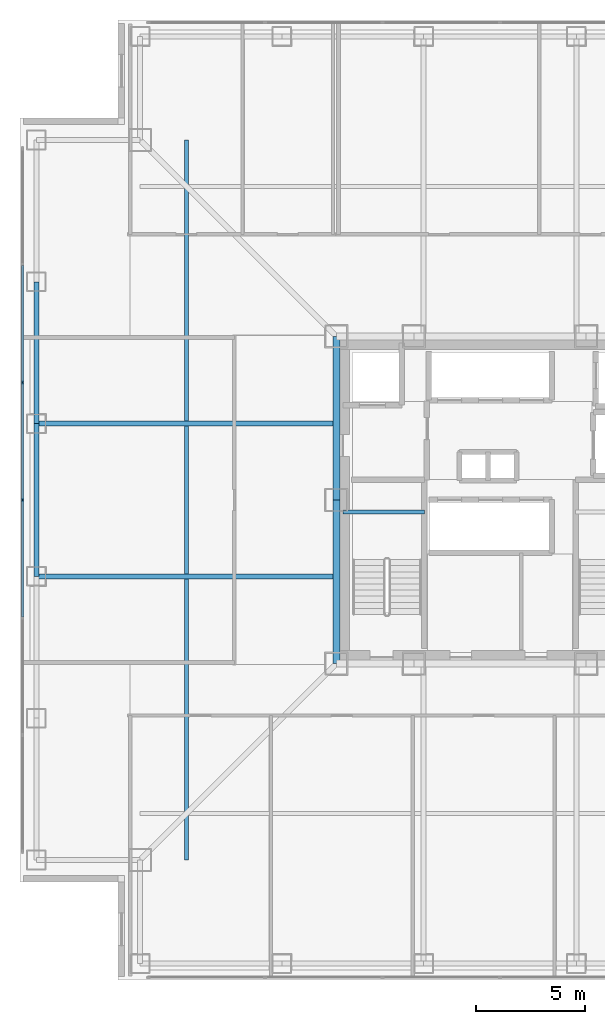
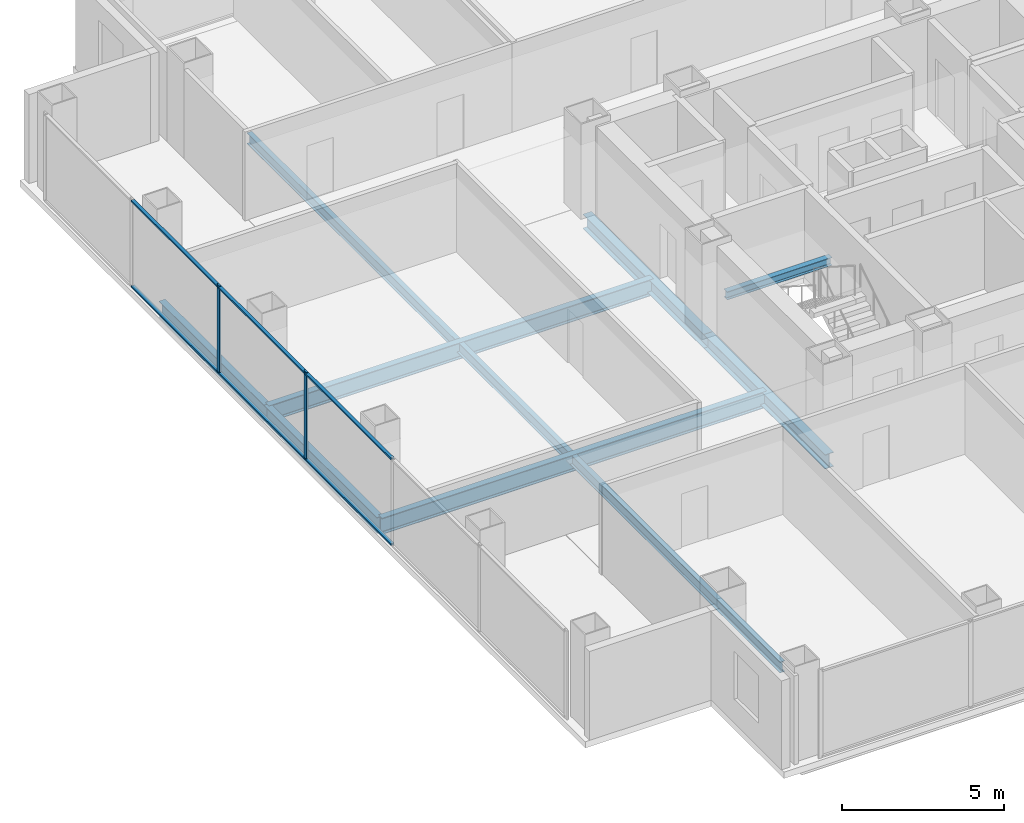
# One storey, part 5 of 17: 8 beams, 8 members, 1 element without a shape of its own.
"""IFC4 building model written with IfcOpenShell, lengths in metres."""

from ifc_helpers import new_model, si_unit, direction, frame, origin, origin_2d, place, context, subcontext, project, spatial, rectangle, i_section, extrude, material, layer, layer_set, material_profile, profile_set, type_object, element, aggregate, save


model = new_model("IFC4")

# Units and contexts
model_context = context("Model", 3, precision=1e-05, world=origin(), true_north=direction((0.0, 1.0)))
body_context = subcontext(model_context, "Body", "Model", "MODEL_VIEW")
ifc_project = project(units=[si_unit("LENGTHUNIT", "METRE"), si_unit("AREAUNIT", "SQUARE_METRE"), si_unit("VOLUMEUNIT", "CUBIC_METRE"), si_unit("PLANEANGLEUNIT", "RADIAN"), si_unit("MASSUNIT", "GRAM", prefix="KILO")], contexts=[model_context])

# Site, building, storey
site_placement = place(None, origin())
site = spatial("IfcSite", under=ifc_project, at=site_placement, CompositionType="ELEMENT")
building_placement = place(site_placement, origin())
building = spatial("IfcBuilding", under=site, at=building_placement, Name="Trevonay Congress Spire", CompositionType="ELEMENT")
storey_placement = place(building_placement, frame((0.0, 0.0, 108.39990234375)))
storey = spatial("IfcBuildingStorey", under=building, at=storey_placement, Name="L27", CompositionType="ELEMENT", Elevation=108.39990234375)

# Beams
ifc_material_1 = material(Name="Steel ASTM A572 Grade 50", Category="steel")
ifc_material_profile_1 = material_profile(ifc_material_1, i_section(OverallWidth=0.31201171875, OverallDepth=0.54296875, WebThickness=0.0126953125, FlangeThickness=0.020263671875, FilletRadius=0.014892578125, at=origin_2d()), Name="W530x150")
ifc_profile_set_1 = profile_set([ifc_material_profile_1], Name="Steel ASTM A572 Grade 50")
beam_type_1 = type_object("IfcBeamType", Name="BM-GIRD-W530X150", PredefinedType="BEAM", material=ifc_profile_set_1)
for number, where, z_axis, x_axis, name in (
    (1, (-7.5, -7.5, -0.511474609375), (0.0, 1.0, 0.0), (-1.0, 0.0, 0.0), "L27 structural beam BM-L27-CR-W1"),
    (2, (-7.5, 0.0, -0.511474609375), (0.0, 1.0, 0.0), (-1.0, 0.0, 0.0), "L27 structural beam BM-L27-CR-W2"),
):
    element("IfcBeam", number, at=place(storey_placement, frame(where, z_axis=z_axis, x_axis=x_axis)), inside=storey, type_object=beam_type_1, Name=name, PredefinedType="BEAM", context=body_context, shape_type="SweptSolid", body=[
        extrude(i_section(OverallWidth=0.31201171875, OverallDepth=0.54296875, WebThickness=0.0126953125, FlangeThickness=0.020263671875, FilletRadius=0.014892578125, at=origin_2d()), origin(), (0.0, 0.0, 1.0), 7.5),
    ])
ifc_material_profile_2 = material_profile(ifc_material_1, i_section(OverallWidth=0.22998046875, OverallDepth=0.616943359375, WebThickness=0.01318359375, FlangeThickness=0.022216796875, FilletRadius=0.01611328125, at=origin_2d()), Name="W610x140")
ifc_profile_set_2 = profile_set([ifc_material_profile_2], Name="Steel ASTM A572 Grade 50")
beam_type_2 = type_object("IfcBeamType", Name="BM-GIRD-W610X140", PredefinedType="BEAM", material=ifc_profile_set_2)
for number, where, z_axis, x_axis, name in (
    (3, (-7.5, -3.5, -0.54833984375), (-1.0, 0.0, 0.0), (0.0, -1.0, 0.0), "L27 structural beam BM-L27-GW-M"),
    (4, (-7.5, 3.5, -0.54833984375), (-1.0, 0.0, 0.0), (0.0, -1.0, 0.0), "L27 structural beam BM-L27-GW-P"),
):
    element("IfcBeam", number, at=place(storey_placement, frame(where, z_axis=z_axis, x_axis=x_axis)), inside=storey, type_object=beam_type_2, Name=name, PredefinedType="BEAM", context=body_context, shape_type="SweptSolid", body=[
        extrude(i_section(OverallWidth=0.22998046875, OverallDepth=0.616943359375, WebThickness=0.01318359375, FlangeThickness=0.022216796875, FilletRadius=0.01611328125, at=origin_2d()), origin(), (0.0, 0.0, 1.0), 13.75),
    ])
ifc_material_profile_3 = material_profile(ifc_material_1, i_section(OverallWidth=0.22802734375, OverallDepth=0.60791015625, WebThickness=0.01123046875, FlangeThickness=0.017333984375, FilletRadius=0.01611328125, at=origin_2d()), Name="W610x113")
ifc_profile_set_3 = profile_set([ifc_material_profile_3], Name="Steel ASTM A572 Grade 50")
beam_type_3 = type_object("IfcBeamType", Name="BM-RING-W610X113", PredefinedType="BEAM", material=ifc_profile_set_3)
beam_1_placement = place(storey_placement, frame((-21.25, -3.5, -0.5439453125), z_axis=(0.0, 1.0, 0.0), x_axis=(-1.0, 0.0, 0.0)))
element("IfcBeam", 5, at=beam_1_placement, inside=storey, type_object=beam_type_3, Name="L27 structural beam BM-L27-PW3", PredefinedType="BEAM", context=body_context, shape_type="SweptSolid", body=[
    extrude(i_section(OverallWidth=0.22802734375, OverallDepth=0.60791015625, WebThickness=0.01123046875, FlangeThickness=0.017333984375, FilletRadius=0.01611328125, at=origin_2d()), origin(), (0.0, 0.0, 1.0), 7.0),
])
beam_2_placement = place(storey_placement, frame((-21.25, 3.5, -0.5439453125), z_axis=(0.0, 1.0, 0.0), x_axis=(-1.0, 0.0, 0.0)))
element("IfcBeam", 6, at=beam_2_placement, inside=storey, type_object=beam_type_3, Name="L27 structural beam BM-L27-PW4", PredefinedType="BEAM", context=body_context, shape_type="SweptSolid", body=[
    extrude(i_section(OverallWidth=0.22802734375, OverallDepth=0.60791015625, WebThickness=0.01123046875, FlangeThickness=0.017333984375, FilletRadius=0.01611328125, at=origin_2d()), origin(), (0.0, 0.0, 1.0), 6.5),
])

# Curtain wall, members
ifc_material_2 = material(Name="Pale Anodised Aluminium EN AW-6063-T6", Category="aluminium")
ifc_layer = layer(ifc_material_2, 0.175048828125, Name="Pale Anodised Aluminium EN AW-6063-T6")
ifc_layer_set = layer_set([ifc_layer], Name="Pale Anodised Aluminium EN AW-6063-T6")
curtain_wall_type = type_object("IfcCurtainWallType", Name="CW-SYS03-CONGRESS-PALE-METAL", PredefinedType="NOTDEFINED", material=ifc_layer_set)
curtain_wall_placement = place(storey_placement, origin())
curtain_wall = element("IfcCurtainWall", 7, at=curtain_wall_placement, inside=storey, type_object=curtain_wall_type, Name="L27 W unitised curtain wall", PredefinedType="NOTDEFINED")
ifc_material_profile_4 = material_profile(ifc_material_2, rectangle(XDim=0.06005859375, YDim=0.159912109375, at=origin_2d()), Name="CW-MULLION-160-ALUMINIUM")
ifc_profile_set_4 = profile_set([ifc_material_profile_4], Name="Pale Anodised Aluminium EN AW-6063-T6")
member_type_1 = type_object("IfcMemberType", Name="CW-MULLION-160-ALUMINIUM", PredefinedType="MULLION", material=ifc_profile_set_4)
member_1_placement = place(storey_placement, frame((-21.8798828125, 0.0, 0.0), z_axis=(0.0, 0.0, 1.0), x_axis=(-1.0, 0.0, 0.0)))
member_1 = element("IfcMember", 8, at=member_1_placement, type_object=member_type_1, Name="CW03 mullion 4", PredefinedType="MULLION", context=body_context, shape_type="SweptSolid", body=[
    extrude(rectangle(XDim=0.06005859375, YDim=0.159912109375, at=origin_2d()), origin(), (0.0, 0.0, 1.0), 3.360107421875),
])
member_2_placement = place(storey_placement, frame((-21.8798828125, 5.38330078125, 0.0), z_axis=(0.0, 0.0, 1.0), x_axis=(-1.0, 0.0, 0.0)))
member_2 = element("IfcMember", 9, at=member_2_placement, type_object=member_type_1, Name="CW03 mullion 5", PredefinedType="MULLION", context=body_context, shape_type="SweptSolid", body=[
    extrude(rectangle(XDim=0.06005859375, YDim=0.159912109375, at=origin_2d()), origin(), (0.0, 0.0, 1.0), 3.360107421875),
])
ifc_material_profile_5 = material_profile(ifc_material_2, rectangle(XDim=0.1201171875, YDim=0.06005859375, at=origin_2d()), Name="CW-TRANSOM-120-ALUMINIUM")
ifc_profile_set_5 = profile_set([ifc_material_profile_5], Name="Pale Anodised Aluminium EN AW-6063-T6")
member_type_2 = type_object("IfcMemberType", Name="CW-TRANSOM-120-ALUMINIUM", PredefinedType="USERDEFINED", material=ifc_profile_set_5)
member_3_placement = place(storey_placement, frame((-21.8798828125, -5.353271484375, 0.06005859375), z_axis=(0.0, 1.0, 0.0), x_axis=(-1.0, 0.0, 0.0)))
member_3 = element("IfcMember", 10, at=member_3_placement, type_object=member_type_2, Name="CW03 transom 3.1", ObjectType="TRANSOM", PredefinedType="USERDEFINED", context=body_context, shape_type="SweptSolid", body=[
    extrude(rectangle(XDim=0.1201171875, YDim=0.06005859375, at=origin_2d()), origin(), (0.0, 0.0, 1.0), 5.3232421875),
])
member_4_placement = place(storey_placement, frame((-21.8798828125, -5.353271484375, 3.300048828125), z_axis=(0.0, 1.0, 0.0), x_axis=(-1.0, 0.0, 0.0)))
member_4 = element("IfcMember", 11, at=member_4_placement, type_object=member_type_2, Name="CW03 transom 3.2", ObjectType="TRANSOM", PredefinedType="USERDEFINED", context=body_context, shape_type="SweptSolid", body=[
    extrude(rectangle(XDim=0.1201171875, YDim=0.06005859375, at=origin_2d()), origin(), (0.0, 0.0, 1.0), 5.3232421875),
])
member_5_placement = place(storey_placement, frame((-21.8798828125, 0.030029296875, 0.06005859375), z_axis=(0.0, 1.0, 0.0), x_axis=(-1.0, 0.0, 0.0)))
member_5 = element("IfcMember", 12, at=member_5_placement, type_object=member_type_2, Name="CW03 transom 4.1", ObjectType="TRANSOM", PredefinedType="USERDEFINED", context=body_context, shape_type="SweptSolid", body=[
    extrude(rectangle(XDim=0.1201171875, YDim=0.06005859375, at=origin_2d()), origin(), (0.0, 0.0, 1.0), 5.3232421875),
])
member_6_placement = place(storey_placement, frame((-21.8798828125, 0.030029296875, 3.300048828125), z_axis=(0.0, 1.0, 0.0), x_axis=(-1.0, 0.0, 0.0)))
member_6 = element("IfcMember", 13, at=member_6_placement, type_object=member_type_2, Name="CW03 transom 4.2", ObjectType="TRANSOM", PredefinedType="USERDEFINED", context=body_context, shape_type="SweptSolid", body=[
    extrude(rectangle(XDim=0.1201171875, YDim=0.06005859375, at=origin_2d()), origin(), (0.0, 0.0, 1.0), 5.3232421875),
])
member_7_placement = place(storey_placement, frame((-21.8798828125, 5.413330078125, 0.06005859375), z_axis=(0.0, 1.0, 0.0), x_axis=(-1.0, 0.0, 0.0)))
member_7 = element("IfcMember", 14, at=member_7_placement, type_object=member_type_2, Name="CW03 transom 5.1", ObjectType="TRANSOM", PredefinedType="USERDEFINED", context=body_context, shape_type="SweptSolid", body=[
    extrude(rectangle(XDim=0.1201171875, YDim=0.06005859375, at=origin_2d()), origin(), (0.0, 0.0, 1.0), 5.3232421875),
])
member_8_placement = place(storey_placement, frame((-21.8798828125, 5.413330078125, 3.300048828125), z_axis=(0.0, 1.0, 0.0), x_axis=(-1.0, 0.0, 0.0)))
member_8 = element("IfcMember", 15, at=member_8_placement, type_object=member_type_2, Name="CW03 transom 5.2", ObjectType="TRANSOM", PredefinedType="USERDEFINED", context=body_context, shape_type="SweptSolid", body=[
    extrude(rectangle(XDim=0.1201171875, YDim=0.06005859375, at=origin_2d()), origin(), (0.0, 0.0, 1.0), 5.3232421875),
])
aggregate(curtain_wall, [member_1, member_2, member_3, member_4, member_5, member_6, member_7, member_8])

# Beams
ifc_material_profile_6 = material_profile(ifc_material_1, i_section(OverallWidth=0.177978515625, OverallDepth=0.406982421875, WebThickness=0.0078125, FlangeThickness=0.0126953125, FilletRadius=0.012939453125, at=origin_2d()), Name="W410x60")
ifc_profile_set_6 = profile_set([ifc_material_profile_6], Name="Steel ASTM A572 Grade 50")
beam_type_4 = type_object("IfcBeamType", Name="JS-COMP-W410X60", PredefinedType="JOIST", material=ifc_profile_set_6)
beam_3_placement = place(storey_placement, frame((-14.375, -16.5, -0.443359375), z_axis=(0.0, 1.0, 0.0), x_axis=(-1.0, 0.0, 0.0)))
element("IfcBeam", 16, at=beam_3_placement, inside=storey, type_object=beam_type_4, Name="L27 structural beam JS-L27-RING-W", PredefinedType="JOIST", context=body_context, shape_type="SweptSolid", body=[
    extrude(i_section(OverallWidth=0.177978515625, OverallDepth=0.406982421875, WebThickness=0.0078125, FlangeThickness=0.0126953125, FilletRadius=0.012939453125, at=origin_2d()), origin(), (0.0, 0.0, 1.0), 33.0),
])
ifc_material_profile_7 = material_profile(ifc_material_1, i_section(OverallWidth=0.2041015625, OverallDepth=0.305908203125, WebThickness=0.008544921875, FlangeThickness=0.0146484375, FilletRadius=0.010986328125, at=origin_2d()), Name="W310x67")
ifc_profile_set_7 = profile_set([ifc_material_profile_7], Name="Steel ASTM A572 Grade 50")
beam_type_5 = type_object("IfcBeamType", Name="LN-CORE-W310X67", PredefinedType="LINTEL", material=ifc_profile_set_7)
beam_4_placement = place(storey_placement, frame((-7.199951171875, -0.550048828125, 1.447021484375), z_axis=(1.0, 0.0, 0.0), x_axis=(0.0, 1.0, 0.0)))
element("IfcBeam", 17, at=beam_4_placement, inside=storey, type_object=beam_type_5, Name="L27 structural beam BM-L27-HL-ST1", PredefinedType="LINTEL", context=body_context, shape_type="SweptSolid", body=[
    extrude(i_section(OverallWidth=0.2041015625, OverallDepth=0.305908203125, WebThickness=0.008544921875, FlangeThickness=0.0146484375, FilletRadius=0.010986328125, at=origin_2d()), origin(), (0.0, 0.0, 1.0), 3.75),
])

save(model, "model.ifc")
